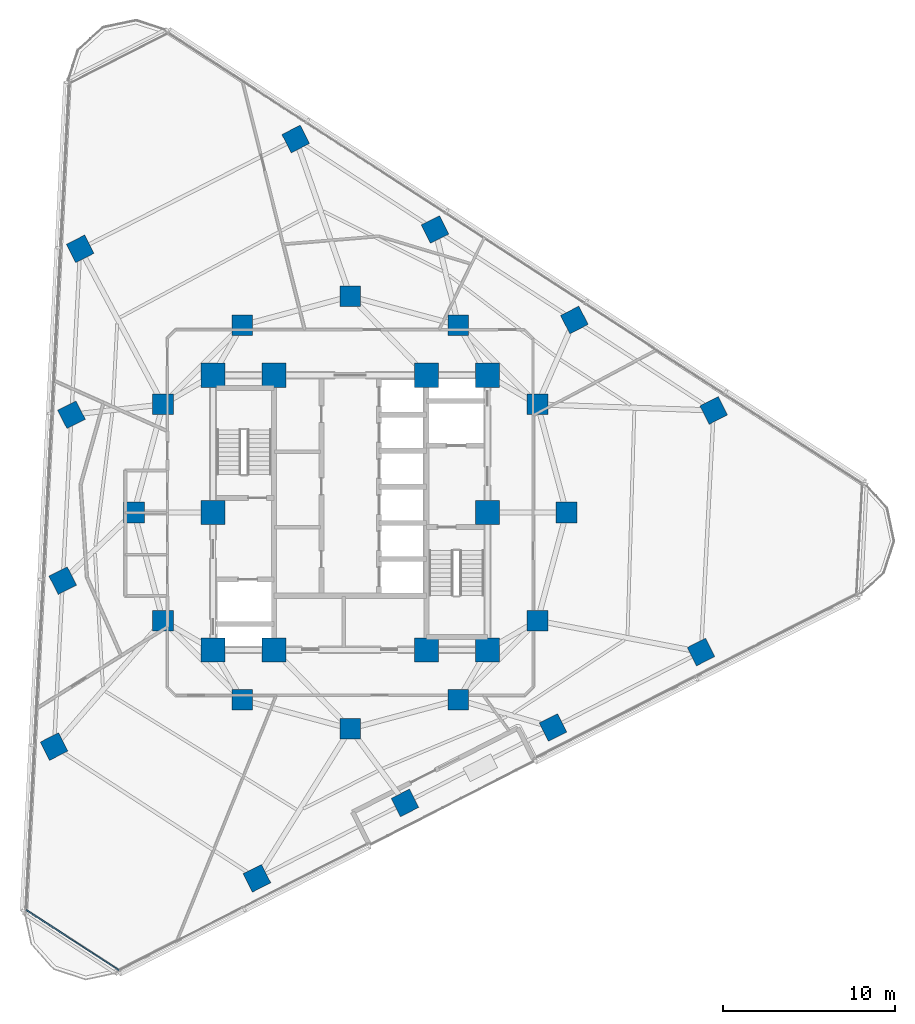
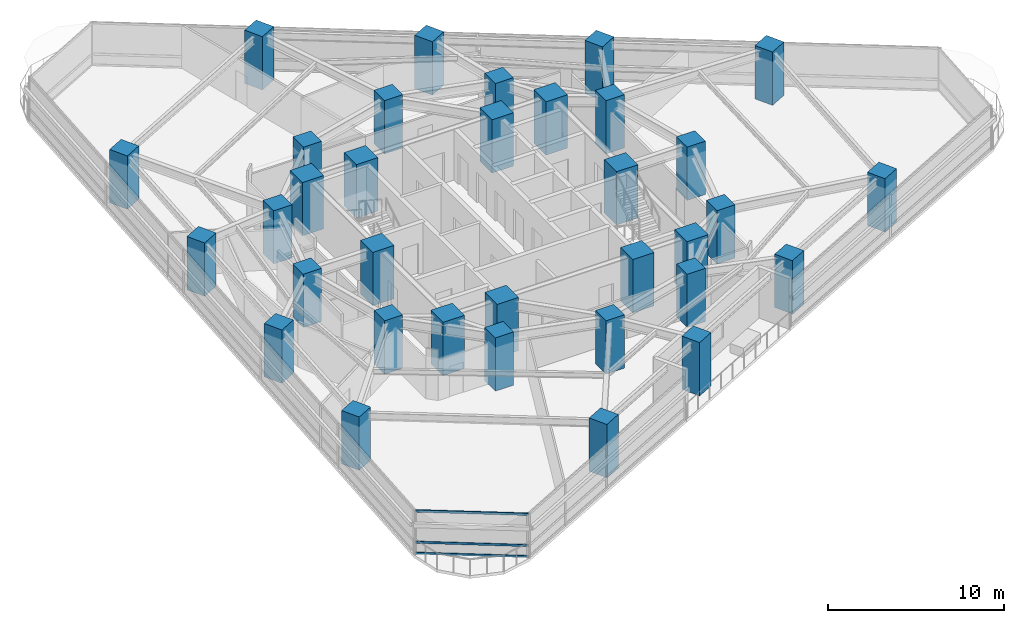
# One storey, part 1 of 14: 34 columns, 3 members, 1 element without a shape of its own.
"""IFC4 building model written with IfcOpenShell, lengths in metres."""

from ifc_helpers import new_model, si_unit, direction, frame, origin, origin_2d, place, context, subcontext, project, spatial, rectangle, extrude, material, layer, layer_set, material_profile, profile_set, type_object, element, aggregate, save


model = new_model("IFC4")

# Units and contexts
model_context = context("Model", 3, precision=1e-05, world=origin(), true_north=direction((0.0, 1.0)))
body_context = subcontext(model_context, "Body", "Model", "MODEL_VIEW")
ifc_project = project(units=[si_unit("LENGTHUNIT", "METRE"), si_unit("AREAUNIT", "SQUARE_METRE"), si_unit("VOLUMEUNIT", "CUBIC_METRE"), si_unit("PLANEANGLEUNIT", "RADIAN"), si_unit("MASSUNIT", "GRAM", prefix="KILO")], contexts=[model_context])

# Site, building, storey
site_placement = place(None, origin())
site = spatial("IfcSite", under=ifc_project, at=site_placement, CompositionType="ELEMENT")
building_placement = place(site_placement, origin())
building = spatial("IfcBuilding", under=site, at=building_placement, Name="Terralouvre Media Tower", CompositionType="ELEMENT")
storey_placement = place(building_placement, frame((0.0, 0.0, 131.0)))
storey = spatial("IfcBuildingStorey", under=building, at=storey_placement, Name="L33", CompositionType="ELEMENT", Elevation=131.0)

# Columns
ifc_material_1 = material(Name="Concrete C60/75", Category="concrete")
ifc_material_profile_1 = material_profile(ifc_material_1, rectangle(XDim=1.199951171875, YDim=1.199951171875, at=origin_2d()), Name="RC 1200x1200")
ifc_profile_set_1 = profile_set([ifc_material_profile_1], Name="Concrete C60/75")
column_type_1 = type_object("IfcColumnType", Name="Structural Column C-RC1200 (RC 1200x1200)", PredefinedType="COLUMN", material=ifc_profile_set_1)
for number, where, z_axis, x_axis, name in (
    (1, (12.60009765625, 0.0, 0.0), (0.0, 0.0, 1.0), (1.0, 0.0, 0.0), "L33 Mega-Frame Column MC01"),
    (2, (10.911865234375, 6.300048828125, 0.0), (0.0, 0.0, 1.0), (1.0, 0.0, 0.0), "L33 Mega-Frame Column MC02"),
    (3, (6.300048828125, 10.911865234375, 0.0), (0.0, 0.0, 1.0), (1.0, 0.0, 0.0), "L33 Mega-Frame Column MC03"),
    (4, (0.0, 12.60009765625, 0.0), (0.0, 0.0, 1.0), (1.0, 0.0, 0.0), "L33 Mega-Frame Column MC04"),
    (5, (-6.300048828125, 10.911865234375, 0.0), (0.0, 0.0, 1.0), (1.0, 0.0, 0.0), "L33 Mega-Frame Column MC05"),
    (6, (-10.911865234375, 6.300048828125, 0.0), (0.0, 0.0, 1.0), (1.0, 0.0, 0.0), "L33 Mega-Frame Column MC06"),
    (7, (-12.60009765625, 0.0, 0.0), (0.0, 0.0, 1.0), (1.0, 0.0, 0.0), "L33 Mega-Frame Column MC07"),
    (8, (-10.911865234375, -6.300048828125, 0.0), (0.0, 0.0, 1.0), (1.0, 0.0, 0.0), "L33 Mega-Frame Column MC08"),
    (9, (-6.300048828125, -10.911865234375, 0.0), (0.0, 0.0, 1.0), (1.0, 0.0, 0.0), "L33 Mega-Frame Column MC09"),
    (10, (0.0, -12.60009765625, 0.0), (0.0, 0.0, 1.0), (1.0, 0.0, 0.0), "L33 Mega-Frame Column MC10"),
    (11, (6.300048828125, -10.911865234375, 0.0), (0.0, 0.0, 1.0), (1.0, 0.0, 0.0), "L33 Mega-Frame Column MC11"),
    (12, (10.911865234375, -6.300048828125, 0.0), (0.0, 0.0, 1.0), (1.0, 0.0, 0.0), "L33 Mega-Frame Column MC12"),
    (13, (-5.4365234375, -21.31298828125, 0.0), (0.0, 0.0, 1.0), (0.891006524188, 0.45399049974, 0.0), "L33 Perimeter Mega-Column PC11"),
    (14, (3.188232421875, -16.91845703125, 0.0), (0.0, 0.0, 1.0), (0.891006524188, 0.45399049974, 0.0), "L33 Perimeter Mega-Column PC12"),
    (15, (11.813232421875, -12.523681640625, 0.0), (0.0, 0.0, 1.0), (0.891006524188, 0.45399049974, 0.0), "L33 Perimeter Mega-Column PC13"),
    (16, (20.438232421875, -8.129150390625, 0.0), (0.0, 0.0, 1.0), (0.891006524188, 0.45399049974, 0.0), "L33 Perimeter Mega-Column PC14"),
    (17, (21.176025390625, 5.9482421875, 0.0), (0.0, 0.0, 1.0), (0.891006524188, 0.45399049974, 0.0), "L33 Perimeter Mega-Column PC21"),
    (18, (13.0576171875, 11.220458984375, 0.0), (0.0, 0.0, 1.0), (0.891006524188, 0.45399049974, 0.0), "L33 Perimeter Mega-Column PC22"),
    (19, (4.939208984375, 16.492431640625, 0.0), (0.0, 0.0, 1.0), (0.891006524188, 0.45399049974, 0.0), "L33 Perimeter Mega-Column PC23"),
    (20, (-3.178955078125, 21.7646484375, 0.0), (0.0, 0.0, 1.0), (0.891006524188, 0.45399049974, 0.0), "L33 Perimeter Mega-Column PC24"),
    (21, (-15.7392578125, 15.36474609375, 0.0), (0.0, 0.0, 1.0), (0.891006524188, 0.45399049974, 0.0), "L33 Perimeter Mega-Column PC31"),
    (22, (-16.245849609375, 5.697998046875, 0.0), (0.0, 0.0, 1.0), (0.891006524188, 0.45399049974, 0.0), "L33 Perimeter Mega-Column PC32"),
    (23, (-16.75244140625, -3.96875, 0.0), (0.0, 0.0, 1.0), (0.891006524188, 0.45399049974, 0.0), "L33 Perimeter Mega-Column PC33"),
    (24, (-17.259033203125, -13.635498046875, 0.0), (0.0, 0.0, 1.0), (0.891006524188, 0.45399049974, 0.0), "L33 Perimeter Mega-Column PC34"),
):
    element("IfcColumn", number, at=place(storey_placement, frame(where, z_axis=z_axis, x_axis=x_axis)), inside=storey, type_object=column_type_1, Name=name, PredefinedType="COLUMN", context=body_context, shape_type="SweptSolid", body=[
        extrude(rectangle(XDim=1.199951171875, YDim=1.199951171875, at=origin_2d()), origin(), (0.0, 0.0, 1.0), 3.699951171875),
    ])
ifc_material_2 = material(Name="Concrete C60/75", Category="concrete")
ifc_material_profile_2 = material_profile(ifc_material_2, rectangle(XDim=1.39990234375, YDim=1.39990234375, at=origin_2d()), Name="RC 1400x1400")
ifc_profile_set_2 = profile_set([ifc_material_profile_2], Name="Concrete C60/75")
column_type_2 = type_object("IfcColumnType", Name="Structural Column C-RC1400 (RC 1400x1400)", PredefinedType="COLUMN", material=ifc_profile_set_2)
for number, where, z_axis, x_axis, name in (
    (25, (-8.0, -8.0, 0.0), (0.0, 0.0, 1.0), (1.0, 0.0, 0.0), "L33 Core Pilaster Column CP1"),
    (26, (-4.449951171875, -8.0, 0.0), (0.0, 0.0, 1.0), (1.0, 0.0, 0.0), "L33 Core Pilaster Column CP2"),
    (27, (4.449951171875, -8.0, 0.0), (0.0, 0.0, 1.0), (1.0, 0.0, 0.0), "L33 Core Pilaster Column CP10"),
    (28, (8.0, -8.0, 0.0), (0.0, 0.0, 1.0), (1.0, 0.0, 0.0), "L33 Core Pilaster Column CP3"),
    (29, (8.0, 0.0, 0.0), (0.0, 0.0, 1.0), (1.0, 0.0, 0.0), "L33 Core Pilaster Column CP4"),
    (30, (8.0, 8.0, 0.0), (0.0, 0.0, 1.0), (1.0, 0.0, 0.0), "L33 Core Pilaster Column CP5"),
    (31, (4.449951171875, 8.0, 0.0), (0.0, 0.0, 1.0), (1.0, 0.0, 0.0), "L33 Core Pilaster Column CP9"),
    (32, (-4.449951171875, 8.0, 0.0), (0.0, 0.0, 1.0), (1.0, 0.0, 0.0), "L33 Core Pilaster Column CP6"),
    (33, (-8.0, 8.0, 0.0), (0.0, 0.0, 1.0), (1.0, 0.0, 0.0), "L33 Core Pilaster Column CP7"),
    (34, (-8.0, 0.0, 0.0), (0.0, 0.0, 1.0), (1.0, 0.0, 0.0), "L33 Core Pilaster Column CP8"),
):
    element("IfcColumn", number, at=place(storey_placement, frame(where, z_axis=z_axis, x_axis=x_axis)), inside=storey, type_object=column_type_2, Name=name, PredefinedType="COLUMN", context=body_context, shape_type="SweptSolid", body=[
        extrude(rectangle(XDim=1.39990234375, YDim=1.39990234375, at=origin_2d()), origin(), (0.0, 0.0, 1.0), 3.699951171875),
    ])

# Curtain wall, members
ifc_material_3 = material(Name="Low-iron laminated double glazing with solar-control coating", Category="glass")
ifc_layer = layer(ifc_material_3, 0.1650390625, Name="Rounded Wind-Corner Curved Glazing CW-04")
ifc_layer_set = layer_set([ifc_layer], Name="Low-iron laminated double glazing with solar-control coating")
curtain_wall_type = type_object("IfcCurtainWallType", Name="Rounded Wind-Corner Curved Glazing CW-04", PredefinedType="NOTDEFINED", material=ifc_layer_set)
curtain_wall_placement = place(storey_placement, origin())
curtain_wall = element("IfcCurtainWall", 35, at=curtain_wall_placement, inside=storey, type_object=curtain_wall_type, Name="L33 Rounded Wind-Corner Curtain Wall C0", PredefinedType="NOTDEFINED")
ifc_material_4 = material(Name="Anodised extruded aluminium 6063-T6", Category="aluminium")
ifc_material_profile_3 = material_profile(ifc_material_4, rectangle(XDim=0.074951171875, YDim=0.14990234375, at=origin_2d()), Name="ALU 75x150")
ifc_profile_set_3 = profile_set([ifc_material_profile_3], Name="Anodised extruded aluminium 6063-T6")
member_type = type_object("IfcMemberType", Name="Curtain-Wall Horizontal Transom TR-150", PredefinedType="USERDEFINED", material=ifc_profile_set_3)
member_1_placement = place(storey_placement, frame((-18.875, -23.16015625, 0.03759765625), z_axis=(0.838682024338, -0.544621393311, 0.0), x_axis=(0.544621393311, 0.838682024338, 0.0)))
member_1 = element("IfcMember", 36, at=member_1_placement, type_object=member_type, Name="CW-04 transom 1.1", ObjectType="TRANSOM", PredefinedType="USERDEFINED", context=body_context, shape_type="SweptSolid", body=[
    extrude(rectangle(XDim=0.074951171875, YDim=0.14990234375, at=origin_2d()), origin(), (0.0, 0.0, 1.0), 6.431884765625),
])
member_2_placement = place(storey_placement, frame((-18.875, -23.16015625, 0.800048828125), z_axis=(0.838682024338, -0.544621393311, 0.0), x_axis=(0.544621393311, 0.838682024338, 0.0)))
member_2 = element("IfcMember", 37, at=member_2_placement, type_object=member_type, Name="CW-04 transom 1.2", ObjectType="TRANSOM", PredefinedType="USERDEFINED", context=body_context, shape_type="SweptSolid", body=[
    extrude(rectangle(XDim=0.074951171875, YDim=0.14990234375, at=origin_2d()), origin(), (0.0, 0.0, 1.0), 6.431884765625),
])
member_3_placement = place(storey_placement, frame((-18.875, -23.16015625, 2.96240234375), z_axis=(0.838682024338, -0.544621393311, 0.0), x_axis=(0.544621393311, 0.838682024338, 0.0)))
member_3 = element("IfcMember", 38, at=member_3_placement, type_object=member_type, Name="CW-04 transom 1.3", ObjectType="TRANSOM", PredefinedType="USERDEFINED", context=body_context, shape_type="SweptSolid", body=[
    extrude(rectangle(XDim=0.074951171875, YDim=0.14990234375, at=origin_2d()), origin(), (0.0, 0.0, 1.0), 6.431884765625),
])
aggregate(curtain_wall, [member_1, member_2, member_3])

save(model, "model.ifc")
